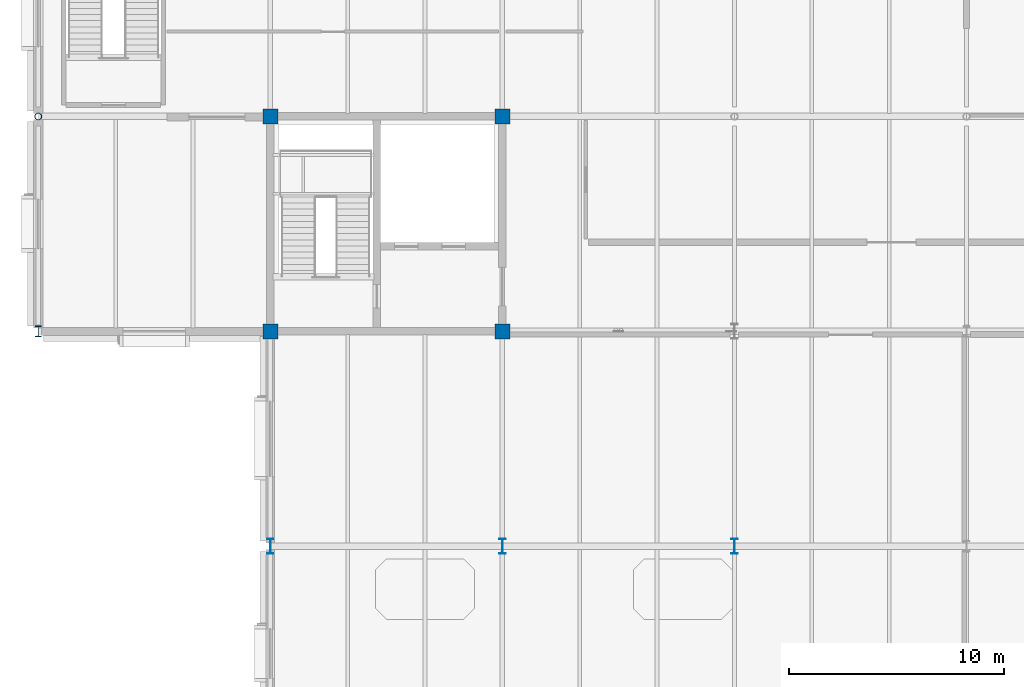
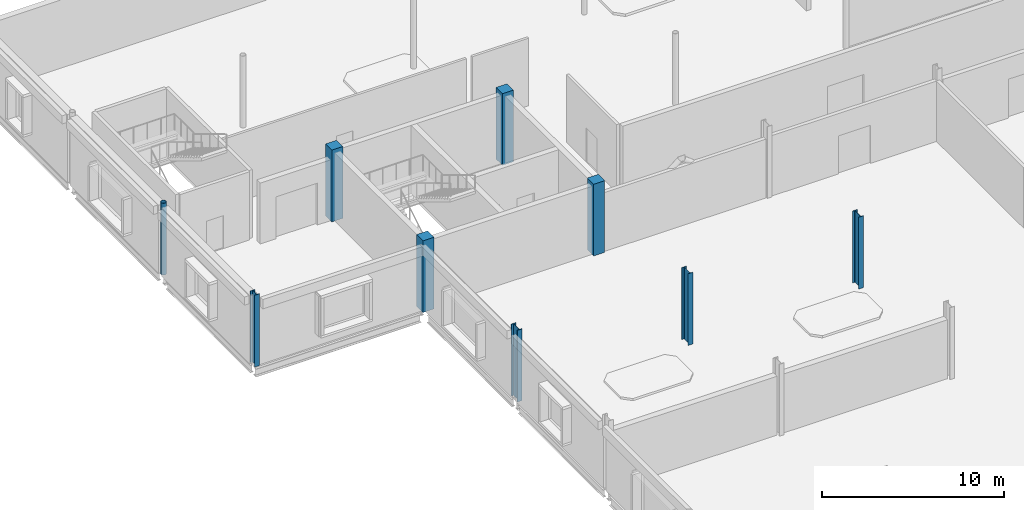
# One storey, part 8 of 92: 9 columns.
"""IFC4 building model written with IfcOpenShell, lengths in metres."""

from ifc_helpers import new_model, si_unit, direction, frame, origin, origin_2d, place, context, subcontext, project, spatial, rectangle, hollow_circle, i_section, extrude, material, material_profile, profile_set, type_object, element, save


model = new_model("IFC4")

# Units and contexts
model_context = context("Model", 3, precision=1e-05, world=origin(), true_north=direction((0.0, 1.0)))
body_context = subcontext(model_context, "Body", "Model", "MODEL_VIEW")
ifc_project = project(units=[si_unit("LENGTHUNIT", "METRE"), si_unit("AREAUNIT", "SQUARE_METRE"), si_unit("VOLUMEUNIT", "CUBIC_METRE"), si_unit("PLANEANGLEUNIT", "RADIAN"), si_unit("MASSUNIT", "GRAM", prefix="KILO")], contexts=[model_context])

# Site, building, storey
site_placement = place(None, origin())
site = spatial("IfcSite", under=ifc_project, at=site_placement, CompositionType="ELEMENT")
building_placement = place(site_placement, origin())
building = spatial("IfcBuilding", under=site, at=building_placement, Name="Tasgan Crest Museum", CompositionType="ELEMENT")
storey_placement = place(building_placement, frame((0.0, 0.0, 4.800048828125)))
storey = spatial("IfcBuildingStorey", under=building, at=storey_placement, Name="L01", CompositionType="ELEMENT", Elevation=4.800048828125)

# Columns
ifc_material_1 = material(Name="Steel S355K2", Category="steel")
ifc_material_profile_1 = material_profile(ifc_material_1, hollow_circle(Radius=0.161865234375, WallThickness=0.01416015625, at=origin_2d()), Name="CHS 323.9x14.2")
ifc_profile_set_1 = profile_set([ifc_material_profile_1], Name="Steel S355K2")
column_type_1 = type_object("IfcColumnType", Name="COL-CHS323", PredefinedType="COLUMN", material=ifc_profile_set_1)
column_1_placement = place(storey_placement, frame((0.0, 92.0, 0.0), z_axis=(0.0, 0.0, 1.0), x_axis=(1.0, 0.0, 0.0)))
element("IfcColumn", 1, at=column_1_placement, inside=storey, type_object=column_type_1, Name="Column 1/K L01", PredefinedType="COLUMN", context=body_context, shape_type="SweptSolid", body=[
    extrude(hollow_circle(Radius=0.161865234375, WallThickness=0.01416015625, at=origin_2d()), origin(), (0.0, 0.0, 1.0), 4.800048828125),
])
ifc_material_2 = material(Name="Steel S355J2", Category="steel")
ifc_material_profile_2 = material_profile(ifc_material_2, i_section(OverallWidth=0.300048828125, OverallDepth=0.5, WebThickness=0.014404296875, FlangeThickness=0.028076171875, FilletRadius=0.027099609375, at=origin_2d()), Name="HEB 500")
ifc_profile_set_2 = profile_set([ifc_material_profile_2], Name="Steel S355J2")
column_type_2 = type_object("IfcColumnType", Name="COL-HEB500", PredefinedType="COLUMN", material=ifc_profile_set_2)
column_2_placement = place(storey_placement, frame((0.0, 82.0, 0.0), z_axis=(0.0, 0.0, 1.0), x_axis=(1.0, 0.0, 0.0)))
element("IfcColumn", 2, at=column_2_placement, inside=storey, type_object=column_type_2, Name="Column 1/J L01", PredefinedType="COLUMN", context=body_context, shape_type="SweptSolid", body=[
    extrude(i_section(OverallWidth=0.300048828125, OverallDepth=0.5, WebThickness=0.014404296875, FlangeThickness=0.028076171875, FilletRadius=0.027099609375, at=origin_2d()), origin(), (0.0, 0.0, 1.0), 4.800048828125),
])
ifc_material_3 = material(Name="Steel S355K2", Category="steel")
ifc_material_profile_3 = material_profile(ifc_material_3, i_section(OverallWidth=0.300048828125, OverallDepth=0.699951171875, WebThickness=0.01708984375, FlangeThickness=0.031982421875, FilletRadius=0.027099609375, at=origin_2d()), Name="HEB 700")
ifc_profile_set_3 = profile_set([ifc_material_profile_3], Name="Steel S355K2")
column_type_3 = type_object("IfcColumnType", Name="COL-HEB700", PredefinedType="COLUMN", material=ifc_profile_set_3)
for number, where, z_axis, x_axis, name in (
    (3, (10.800048828125, 72.0, 0.0), (0.0, 0.0, 1.0), (1.0, 0.0, 0.0), "Column 2/H L01"),
    (4, (21.60009765625, 72.0, 0.0), (0.0, 0.0, 1.0), (1.0, 0.0, 0.0), "Column 3/H L01"),
    (5, (32.39990234375, 72.0, 0.0), (0.0, 0.0, 1.0), (1.0, 0.0, 0.0), "Column 4/H L01"),
):
    element("IfcColumn", number, at=place(storey_placement, frame(where, z_axis=z_axis, x_axis=x_axis)), inside=storey, type_object=column_type_3, Name=name, PredefinedType="COLUMN", context=body_context, shape_type="SweptSolid", body=[
        extrude(i_section(OverallWidth=0.300048828125, OverallDepth=0.699951171875, WebThickness=0.01708984375, FlangeThickness=0.031982421875, FilletRadius=0.027099609375, at=origin_2d()), origin(), (0.0, 0.0, 1.0), 4.800048828125),
    ])
ifc_material_4 = material(Name="Concrete C40/50", Category="concrete")
ifc_material_profile_4 = material_profile(ifc_material_4, rectangle(XDim=0.699951171875, YDim=0.699951171875, at=origin_2d()), Name="RC 700x700")
ifc_profile_set_4 = profile_set([ifc_material_profile_4], Name="Concrete C40/50")
column_type_4 = type_object("IfcColumnType", Name="COL-RC700", PredefinedType="COLUMN", material=ifc_profile_set_4)
for number, where, z_axis, x_axis, name in (
    (6, (10.800048828125, 82.0, 0.0), (0.0, 0.0, 1.0), (1.0, 0.0, 0.0), "Column 2/J L01"),
    (7, (10.800048828125, 92.0, 0.0), (0.0, 0.0, 1.0), (1.0, 0.0, 0.0), "Column 2/K L01"),
    (8, (21.60009765625, 82.0, 0.0), (0.0, 0.0, 1.0), (1.0, 0.0, 0.0), "Column 3/J L01"),
    (9, (21.60009765625, 92.0, 0.0), (0.0, 0.0, 1.0), (1.0, 0.0, 0.0), "Column 3/K L01"),
):
    element("IfcColumn", number, at=place(storey_placement, frame(where, z_axis=z_axis, x_axis=x_axis)), inside=storey, type_object=column_type_4, Name=name, PredefinedType="COLUMN", context=body_context, shape_type="SweptSolid", body=[
        extrude(rectangle(XDim=0.699951171875, YDim=0.699951171875, at=origin_2d()), origin(), (0.0, 0.0, 1.0), 4.800048828125),
    ])

save(model, "model.ifc")
